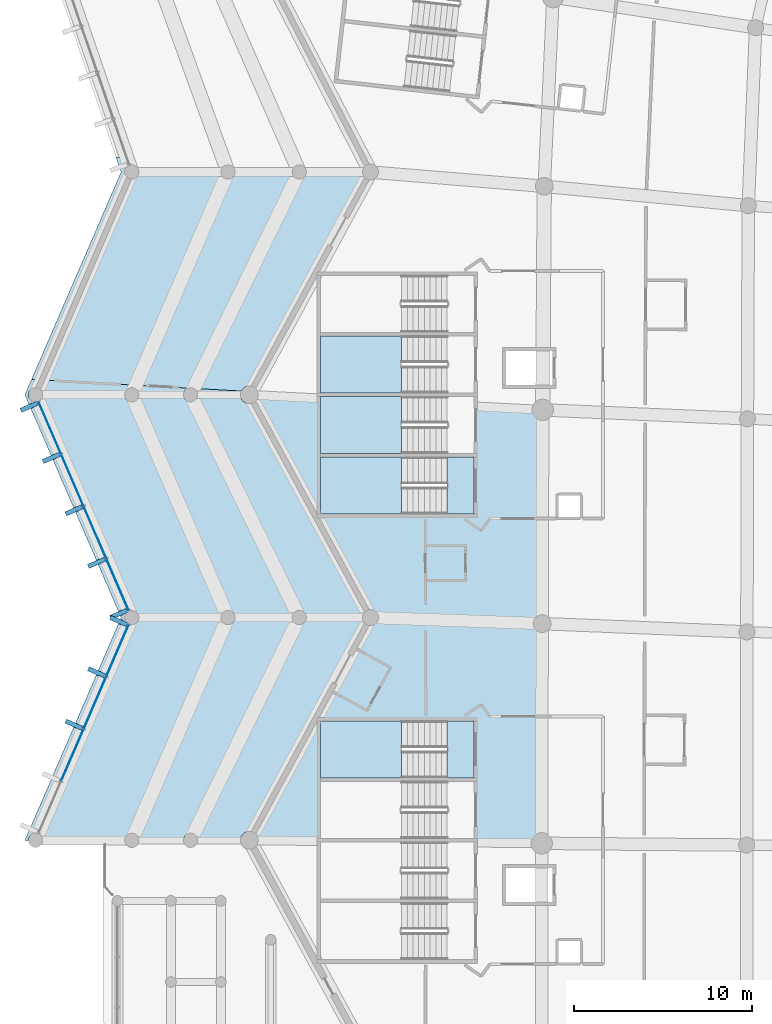
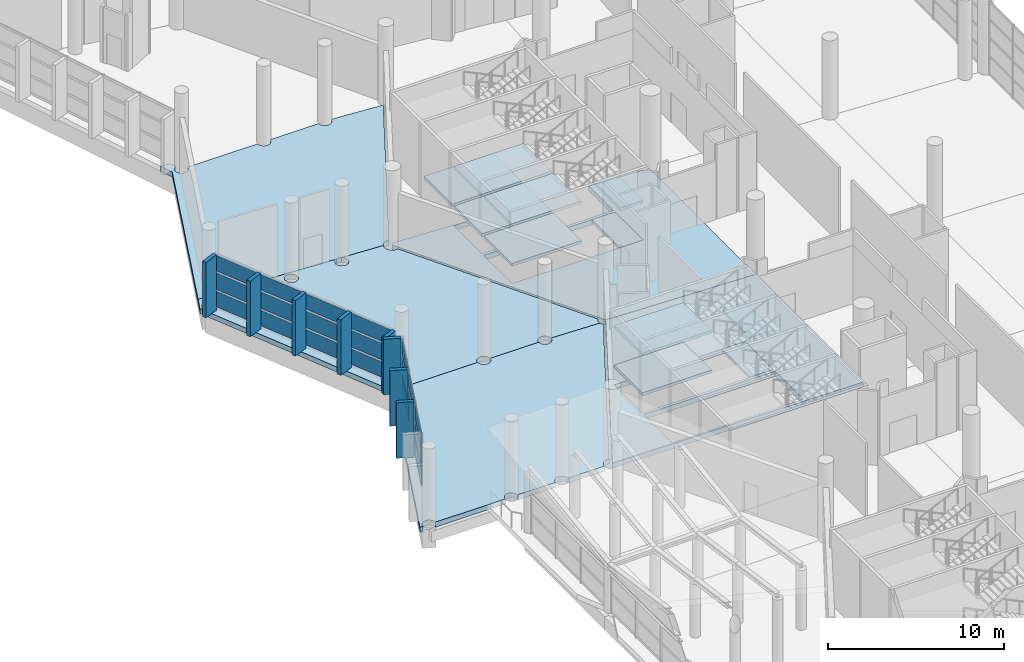
# One storey, part 137 of 271: 29 plates, 16 slabs, 6 elements without a shape of their own.
"""IFC4 building model written with IfcOpenShell, lengths in metres."""

from ifc_helpers import new_model, si_unit, direction, frame, origin, origin_2d, place, context, subcontext, project, spatial, polyline, rectangle, outline, extrude, material, layer, layer_set, type_object, element, aggregate, save


model = new_model("IFC4")

# Units and contexts
model_context = context("Model", 3, precision=1e-05, world=origin(), true_north=direction((0.0, 1.0)))
body_context = subcontext(model_context, "Body", "Model", "MODEL_VIEW")
ifc_project = project(units=[si_unit("LENGTHUNIT", "METRE"), si_unit("AREAUNIT", "SQUARE_METRE"), si_unit("VOLUMEUNIT", "CUBIC_METRE"), si_unit("PLANEANGLEUNIT", "RADIAN"), si_unit("MASSUNIT", "GRAM", prefix="KILO")], contexts=[model_context])

# Site, building, storey
site_placement = place(None, origin())
site = spatial("IfcSite", under=ifc_project, at=site_placement, CompositionType="ELEMENT")
building_placement = place(site_placement, origin())
building = spatial("IfcBuilding", under=site, at=building_placement, Name="Meseta Stadium", CompositionType="ELEMENT")
storey_placement = place(building_placement, frame((0.0, 0.0, 6.5)))
storey = spatial("IfcBuildingStorey", under=building, at=storey_placement, Name="L01", CompositionType="ELEMENT", Elevation=6.5)

# Slabs
ifc_material_1 = material(Name="Concrete C40/50", Category="concrete")
ifc_layer_1 = layer(ifc_material_1, 0.35009765625)
ifc_layer_set_1 = layer_set([ifc_layer_1], Name="Floor slab 350")
slab_type_1 = type_object("IfcSlabType", Name="Floor slab 350", PredefinedType="FLOOR", material=ifc_layer_set_1)
slab_1_placement = place(storey_placement, frame((0.0, 0.0, -0.35009765625)))
element("IfcSlab", 1, at=slab_1_placement, inside=storey, type_object=slab_type_1, Name="Floor slab L01 sector 28 panel 06", PredefinedType="FLOOR", context=body_context, shape_type="SweptSolid", body=[
    extrude(outline(polyline([(-96.176025390625, 31.14990234375), (-101.301513671875, 31.430908203125), (-101.39990234375, 31.25), (-94.60009765625, 18.75), (-84.97314453125, 18.41064453125), (-84.939697265625, 30.533935546875), (-88.800048828125, 30.74560546875), (-88.800048828125, 27.949951171875), (-97.39990234375, 27.949951171875), (-97.39990234375, 31.14990234375), (-96.176025390625, 31.14990234375)]), holes=[polyline([(-97.39990234375, 27.75), (-88.800048828125, 27.75), (-88.800048828125, 24.550048828125), (-97.39990234375, 24.550048828125), (-97.39990234375, 27.75)])]), origin(), (0.0, 0.0, 1.0), 0.35009765625),
])
slab_2_placement = place(storey_placement, frame((0.0, 0.0, -0.35009765625)))
element("IfcSlab", 2, at=slab_2_placement, inside=storey, type_object=slab_type_1, Name="Floor slab L01 sector 28 panel 07", PredefinedType="FLOOR", context=body_context, shape_type="SweptSolid", body=[
    extrude(outline(polyline([(-88.800048828125, 6.14990234375), (-88.800048828125, 6.149169921875), (-84.99755859375, 6.107421875), (-84.97314453125, 18.41064453125), (-94.60009765625, 18.75), (-101.3798828125, 6.287109375), (-88.8798828125, 6.14990234375), (-88.800048828125, 6.14990234375)]), holes=[polyline([(-88.800048828125, 6.35009765625), (-97.39990234375, 6.35009765625), (-97.39990234375, 9.550048828125), (-88.800048828125, 9.550048828125), (-88.800048828125, 6.35009765625)]), polyline([(-88.800048828125, 9.75), (-97.39990234375, 9.75), (-97.39990234375, 12.949951171875), (-88.800048828125, 12.949951171875), (-88.800048828125, 9.75)])]), origin(), (0.0, 0.0, 1.0), 0.35009765625),
])
slab_3_placement = place(storey_placement, frame((0.0, 0.0, -0.35009765625)))
element("IfcSlab", 3, at=slab_3_placement, inside=storey, type_object=slab_type_1, Name="Ring floor slab L01 4 part 1 panel 01", PredefinedType="FLOOR", context=body_context, shape_type="SweptSolid", body=[
    extrude(outline(polyline([(-104.3505859375, 31.04833984375), (-104.414794921875, 30.964599609375), (-104.498291015625, 30.900634765625), (-104.595703125, 30.8603515625), (-104.699951171875, 30.846435546875), (-104.804443359375, 30.8603515625), (-104.901611328125, 30.900634765625), (-104.9853515625, 30.964599609375), (-105.04931640625, 31.04833984375), (-105.089599609375, 31.1455078125), (-105.103515625, 31.25), (-105.089599609375, 31.3544921875), (-105.04931640625, 31.45166015625), (-104.9853515625, 31.535400390625), (-104.901611328125, 31.599365234375), (-104.83984375, 31.625), (-113.6298828125, 32.10693359375), (-114.0, 31.25), (-108.752685546875, 19.103759765625), (-108.218994140625, 19.086181640625), (-108.20166015625, 19.099365234375), (-108.1044921875, 19.1396484375), (-108.0, 19.153564453125), (-107.8955078125, 19.1396484375), (-107.79833984375, 19.099365234375), (-107.714599609375, 19.035400390625), (-107.650634765625, 18.95166015625), (-107.6103515625, 18.8544921875), (-107.596435546875, 18.75), (-103.00341796875, 18.75), (-102.98974609375, 18.8544921875), (-102.949462890625, 18.95166015625), (-102.88525390625, 19.035400390625), (-102.8017578125, 19.099365234375), (-102.704345703125, 19.1396484375), (-102.60009765625, 19.153564453125), (-102.49560546875, 19.1396484375), (-102.398193359375, 19.099365234375), (-102.314697265625, 19.035400390625), (-102.25048828125, 18.95166015625), (-102.224609375, 18.888916015625), (-102.210205078125, 18.8544921875), (-102.196533203125, 18.75), (-99.00341796875, 18.75), (-98.98974609375, 18.8544921875), (-98.949462890625, 18.95166015625), (-98.88525390625, 19.035400390625), (-98.8017578125, 19.099365234375), (-98.704345703125, 19.1396484375), (-98.60009765625, 19.153564453125), (-98.49560546875, 19.1396484375), (-98.398193359375, 19.099365234375), (-98.314697265625, 19.035400390625), (-98.25048828125, 18.95166015625), (-98.210205078125, 18.8544921875), (-98.197509765625, 18.756591796875), (-95.041015625, 18.652587890625), (-95.053955078125, 18.75), (-95.038330078125, 18.867431640625), (-94.9931640625, 18.976806640625), (-94.935302734375, 19.05224609375), (-101.30322265625, 30.75830078125), (-101.39990234375, 30.74560546875), (-101.530517578125, 30.762939453125), (-101.652099609375, 30.813232421875), (-101.756591796875, 30.893310546875), (-101.836669921875, 30.997802734375), (-101.88720703125, 31.119384765625), (-101.904296875, 31.25), (-101.88720703125, 31.380615234375), (-101.853515625, 31.461181640625), (-104.517333984375, 31.607421875), (-104.498291015625, 31.599365234375), (-104.414794921875, 31.535400390625), (-104.3505859375, 31.45166015625), (-104.310302734375, 31.3544921875), (-104.29638671875, 31.25), (-104.310302734375, 31.1455078125), (-104.3505859375, 31.04833984375)]), holes=[polyline([(-107.8955078125, 30.8603515625), (-108.0, 30.846435546875), (-108.1044921875, 30.8603515625), (-108.20166015625, 30.900634765625), (-108.285400390625, 30.964599609375), (-108.349365234375, 31.04833984375), (-108.3896484375, 31.1455078125), (-108.403564453125, 31.25), (-108.3896484375, 31.3544921875), (-108.349365234375, 31.45166015625), (-108.285400390625, 31.535400390625), (-108.20166015625, 31.599365234375), (-108.1044921875, 31.6396484375), (-108.0, 31.653564453125), (-107.8955078125, 31.6396484375), (-107.79833984375, 31.599365234375), (-107.714599609375, 31.535400390625), (-107.650634765625, 31.45166015625), (-107.6103515625, 31.3544921875), (-107.596435546875, 31.25), (-107.6103515625, 31.1455078125), (-107.650634765625, 31.04833984375), (-107.714599609375, 30.964599609375), (-107.79833984375, 30.900634765625), (-107.8955078125, 30.8603515625)]), polyline([(-113.601806640625, 30.900634765625), (-113.685302734375, 30.964599609375), (-113.74951171875, 31.04833984375), (-113.789794921875, 31.1455078125), (-113.803466796875, 31.25), (-113.789794921875, 31.3544921875), (-113.74951171875, 31.45166015625), (-113.685302734375, 31.535400390625), (-113.601806640625, 31.599365234375), (-113.50439453125, 31.6396484375), (-113.39990234375, 31.653564453125), (-113.295654296875, 31.6396484375), (-113.1982421875, 31.599365234375), (-113.11474609375, 31.535400390625), (-113.050537109375, 31.45166015625), (-113.01025390625, 31.3544921875), (-112.99658203125, 31.25), (-113.01025390625, 31.1455078125), (-113.050537109375, 31.04833984375), (-113.11474609375, 30.964599609375), (-113.1982421875, 30.900634765625), (-113.295654296875, 30.8603515625), (-113.39990234375, 30.846435546875), (-113.50439453125, 30.8603515625), (-113.601806640625, 30.900634765625)])]), origin(), (0.0, 0.0, 1.0), 0.35009765625),
])
slab_4_placement = place(storey_placement, frame((0.0, 0.0, -0.35009765625)))
element("IfcSlab", 4, at=slab_4_placement, inside=storey, type_object=slab_type_1, Name="Ring floor slab L01 4 part 1 panel 02", PredefinedType="FLOOR", context=body_context, shape_type="SweptSolid", body=[
    extrude(outline(polyline([(-108.60009765625, 18.75), (-114.0, 6.25), (-113.803466796875, 6.25), (-113.789794921875, 6.3544921875), (-113.761474609375, 6.4228515625), (-113.74951171875, 6.45166015625), (-113.685302734375, 6.535400390625), (-113.601806640625, 6.599365234375), (-113.50439453125, 6.6396484375), (-113.39990234375, 6.653564453125), (-113.295654296875, 6.6396484375), (-113.1982421875, 6.599365234375), (-113.11474609375, 6.535400390625), (-113.050537109375, 6.45166015625), (-113.035400390625, 6.414794921875), (-113.01025390625, 6.3544921875), (-112.99658203125, 6.25), (-108.403564453125, 6.25), (-108.3896484375, 6.3544921875), (-108.349365234375, 6.45166015625), (-108.285400390625, 6.535400390625), (-108.20166015625, 6.599365234375), (-108.1044921875, 6.6396484375), (-108.0, 6.653564453125), (-107.8955078125, 6.6396484375), (-107.79833984375, 6.599365234375), (-107.714599609375, 6.535400390625), (-107.650634765625, 6.45166015625), (-107.610595703125, 6.35546875), (-107.596435546875, 6.25), (-105.103515625, 6.25), (-105.089599609375, 6.3544921875), (-105.04931640625, 6.45166015625), (-104.9853515625, 6.535400390625), (-104.901611328125, 6.599365234375), (-104.804443359375, 6.6396484375), (-104.699951171875, 6.653564453125), (-104.595703125, 6.6396484375), (-104.498291015625, 6.599365234375), (-104.414794921875, 6.535400390625), (-104.3505859375, 6.45166015625), (-104.310302734375, 6.3544921875), (-104.29638671875, 6.25), (-101.904296875, 6.25), (-101.88720703125, 6.380615234375), (-101.836669921875, 6.502197265625), (-101.756591796875, 6.606689453125), (-101.652099609375, 6.686767578125), (-101.530517578125, 6.737060546875), (-101.39990234375, 6.75439453125), (-101.30322265625, 6.74169921875), (-94.935302734375, 18.44775390625), (-94.9931640625, 18.523193359375), (-95.038330078125, 18.632568359375), (-95.041015625, 18.652587890625), (-98.197509765625, 18.756591796875), (-98.196533203125, 18.75), (-98.210205078125, 18.6455078125), (-98.25048828125, 18.54833984375), (-98.314697265625, 18.464599609375), (-98.398193359375, 18.400634765625), (-98.49560546875, 18.3603515625), (-98.60009765625, 18.346435546875), (-98.704345703125, 18.3603515625), (-98.8017578125, 18.400634765625), (-98.88525390625, 18.464599609375), (-98.949462890625, 18.54833984375), (-98.98974609375, 18.6455078125), (-99.00341796875, 18.75), (-102.196533203125, 18.75), (-102.210205078125, 18.6455078125), (-102.25048828125, 18.54833984375), (-102.314697265625, 18.464599609375), (-102.398193359375, 18.400634765625), (-102.49560546875, 18.3603515625), (-102.60009765625, 18.346435546875), (-102.704345703125, 18.3603515625), (-102.8017578125, 18.400634765625), (-102.88525390625, 18.464599609375), (-102.949462890625, 18.54833984375), (-102.98974609375, 18.6455078125), (-103.00341796875, 18.75), (-107.596435546875, 18.75), (-107.6103515625, 18.6455078125), (-107.650634765625, 18.54833984375), (-107.714599609375, 18.464599609375), (-107.79833984375, 18.400634765625), (-107.8955078125, 18.3603515625), (-108.0, 18.346435546875), (-108.1044921875, 18.3603515625), (-108.20166015625, 18.400634765625), (-108.285400390625, 18.464599609375), (-108.349365234375, 18.54833984375), (-108.3896484375, 18.6455078125), (-108.403564453125, 18.75), (-108.3896484375, 18.8544921875), (-108.349365234375, 18.95166015625), (-108.285400390625, 19.035400390625), (-108.218994140625, 19.086181640625), (-108.752685546875, 19.103759765625), (-108.60009765625, 18.75)])), origin(), (0.0, 0.0, 1.0), 0.35009765625),
])
slab_5_placement = place(storey_placement, frame((0.0, 0.0, -0.35009765625)))
element("IfcSlab", 5, at=slab_5_placement, inside=storey, type_object=slab_type_1, Name="Ring floor slab L01 4 part 1 panel 04", PredefinedType="FLOOR", context=body_context, shape_type="SweptSolid", body=[
    extrude(outline(polyline([(-108.3896484375, 43.8544921875), (-108.349365234375, 43.95166015625), (-108.285400390625, 44.035400390625), (-108.20166015625, 44.099365234375), (-108.13037109375, 44.12890625), (-108.271240234375, 44.538330078125), (-108.885986328125, 44.58544921875), (-108.60009765625, 43.75), (-113.6298828125, 32.10693359375), (-104.83984375, 31.625), (-104.804443359375, 31.6396484375), (-104.699951171875, 31.653564453125), (-104.595703125, 31.6396484375), (-104.517333984375, 31.607421875), (-101.853515625, 31.461181640625), (-101.836669921875, 31.502197265625), (-101.756591796875, 31.606689453125), (-101.652099609375, 31.686767578125), (-101.530517578125, 31.737060546875), (-101.39990234375, 31.75439453125), (-101.30322265625, 31.74169921875), (-94.935302734375, 43.44775390625), (-94.989990234375, 43.51904296875), (-98.0, 43.75), (-98.196533203125, 43.75), (-98.210205078125, 43.6455078125), (-98.25048828125, 43.54833984375), (-98.314697265625, 43.464599609375), (-98.398193359375, 43.400634765625), (-98.49560546875, 43.3603515625), (-98.60009765625, 43.346435546875), (-98.704345703125, 43.3603515625), (-98.8017578125, 43.400634765625), (-98.88525390625, 43.464599609375), (-98.949462890625, 43.54833984375), (-98.98974609375, 43.6455078125), (-99.00341796875, 43.75), (-102.196533203125, 43.75), (-102.210205078125, 43.6455078125), (-102.25048828125, 43.54833984375), (-102.314697265625, 43.464599609375), (-102.398193359375, 43.400634765625), (-102.49560546875, 43.3603515625), (-102.60009765625, 43.346435546875), (-102.704345703125, 43.3603515625), (-102.8017578125, 43.400634765625), (-102.88525390625, 43.464599609375), (-102.949462890625, 43.54833984375), (-102.98974609375, 43.6455078125), (-103.00341796875, 43.75), (-107.596435546875, 43.75), (-107.6103515625, 43.6455078125), (-107.650634765625, 43.54833984375), (-107.714599609375, 43.464599609375), (-107.79833984375, 43.400634765625), (-107.8955078125, 43.3603515625), (-108.0, 43.346435546875), (-108.1044921875, 43.3603515625), (-108.20166015625, 43.400634765625), (-108.285400390625, 43.464599609375), (-108.349365234375, 43.54833984375), (-108.3896484375, 43.6455078125), (-108.403564453125, 43.75), (-108.3896484375, 43.8544921875)])), origin(), (0.0, 0.0, 1.0), 0.35009765625),
])

# Curtain wall, plates
ifc_material_2 = material(Name="Aluminium", Category="aluminium")
ifc_layer_2 = layer(ifc_material_2, 0.199951171875)
ifc_layer_set_2 = layer_set([ifc_layer_2], Name="Ring shopfront curtain wall")
curtain_wall_type = type_object("IfcCurtainWallType", Name="Ring shopfront curtain wall", PredefinedType="NOTDEFINED", material=ifc_layer_set_2)
curtain_wall_1_placement = place(storey_placement, origin())
curtain_wall_1 = element("IfcCurtainWall", 6, at=curtain_wall_1_placement, inside=storey, type_object=curtain_wall_type, Name="Ring glazing L01 F30", PredefinedType="NOTDEFINED")
ifc_material_3 = material(Name="Glass", Category="glass")
ifc_layer_3 = layer(ifc_material_3, 0.035888671875)
ifc_layer_set_3 = layer_set([ifc_layer_3], Name="Ring CW glass panel 36")
plate_type_1 = type_object("IfcPlateType", Name="Ring CW glass panel 36", PredefinedType="CURTAIN_PANEL", material=ifc_layer_set_3)
plate_1_placement = place(storey_placement, frame((-112.60009765625, 29.3984375, 0.14990234375), z_axis=(0.0, 0.0, 1.0), x_axis=(0.396580687073, -0.91799986854, 0.0)))
plate_1 = element("IfcPlate", 7, at=plate_1_placement, type_object=plate_type_1, Name="CWR1 panel 1.1", PredefinedType="CURTAIN_PANEL", context=body_context, shape_type="SweptSolid", body=[
    extrude(rectangle(XDim=3.1142578125, YDim=0.035888671875, at=origin_2d()), origin(), (0.0, 0.0, 1.0), 1.058349609375),
])
plate_2_placement = place(storey_placement, frame((-112.60009765625, 29.3984375, 1.3583984375), z_axis=(0.0, 0.0, 1.0), x_axis=(0.396580687073, -0.91799986854, 0.0)))
plate_2 = element("IfcPlate", 8, at=plate_2_placement, type_object=plate_type_1, Name="CWR1 panel 1.2", PredefinedType="CURTAIN_PANEL", context=body_context, shape_type="SweptSolid", body=[
    extrude(rectangle(XDim=3.1142578125, YDim=0.035888671875, at=origin_2d()), origin(), (0.0, 0.0, 1.0), 1.13330078125),
])
plate_3_placement = place(storey_placement, frame((-112.60009765625, 29.3984375, 2.6416015625), z_axis=(0.0, 0.0, 1.0), x_axis=(0.396580687073, -0.91799986854, 0.0)))
plate_3 = element("IfcPlate", 9, at=plate_3_placement, type_object=plate_type_1, Name="CWR1 panel 1.3", PredefinedType="CURTAIN_PANEL", context=body_context, shape_type="SweptSolid", body=[
    extrude(rectangle(XDim=3.1142578125, YDim=0.035888671875, at=origin_2d()), origin(), (0.0, 0.0, 1.0), 1.058349609375),
])
plate_4_placement = place(storey_placement, frame((-111.33544921875, 26.470703125, 0.14990234375), z_axis=(0.0, 0.0, 1.0), x_axis=(0.396580687073, -0.91799986854, 0.0)))
plate_4 = element("IfcPlate", 10, at=plate_4_placement, type_object=plate_type_1, Name="CWR1 panel 2.1", PredefinedType="CURTAIN_PANEL", context=body_context, shape_type="SweptSolid", body=[
    extrude(rectangle(XDim=3.14404296875, YDim=0.035888671875, at=origin_2d()), origin(), (0.0, 0.0, 1.0), 1.058349609375),
])
plate_5_placement = place(storey_placement, frame((-111.33544921875, 26.470703125, 1.3583984375), z_axis=(0.0, 0.0, 1.0), x_axis=(0.396580687073, -0.91799986854, 0.0)))
plate_5 = element("IfcPlate", 11, at=plate_5_placement, type_object=plate_type_1, Name="CWR1 panel 2.2", PredefinedType="CURTAIN_PANEL", context=body_context, shape_type="SweptSolid", body=[
    extrude(rectangle(XDim=3.14404296875, YDim=0.035888671875, at=origin_2d()), origin(), (0.0, 0.0, 1.0), 1.13330078125),
])
plate_6_placement = place(storey_placement, frame((-111.33544921875, 26.470703125, 2.6416015625), z_axis=(0.0, 0.0, 1.0), x_axis=(0.396580687073, -0.91799986854, 0.0)))
plate_6 = element("IfcPlate", 12, at=plate_6_placement, type_object=plate_type_1, Name="CWR1 panel 2.3", PredefinedType="CURTAIN_PANEL", context=body_context, shape_type="SweptSolid", body=[
    extrude(rectangle(XDim=3.14404296875, YDim=0.035888671875, at=origin_2d()), origin(), (0.0, 0.0, 1.0), 1.058349609375),
])
plate_7_placement = place(storey_placement, frame((-110.064697265625, 23.529296875, 0.14990234375), z_axis=(0.0, 0.0, 1.0), x_axis=(0.396580687073, -0.91799986854, 0.0)))
plate_7 = element("IfcPlate", 13, at=plate_7_placement, type_object=plate_type_1, Name="CWR1 panel 3.1", PredefinedType="CURTAIN_PANEL", context=body_context, shape_type="SweptSolid", body=[
    extrude(rectangle(XDim=3.14404296875, YDim=0.035888671875, at=origin_2d()), origin(), (0.0, 0.0, 1.0), 1.058349609375),
])
plate_8_placement = place(storey_placement, frame((-110.064697265625, 23.529296875, 1.3583984375), z_axis=(0.0, 0.0, 1.0), x_axis=(0.396580687073, -0.91799986854, 0.0)))
plate_8 = element("IfcPlate", 14, at=plate_8_placement, type_object=plate_type_1, Name="CWR1 panel 3.2", PredefinedType="CURTAIN_PANEL", context=body_context, shape_type="SweptSolid", body=[
    extrude(rectangle(XDim=3.14404296875, YDim=0.035888671875, at=origin_2d()), origin(), (0.0, 0.0, 1.0), 1.13330078125),
])
plate_9_placement = place(storey_placement, frame((-110.064697265625, 23.529296875, 2.6416015625), z_axis=(0.0, 0.0, 1.0), x_axis=(0.396580687073, -0.91799986854, 0.0)))
plate_9 = element("IfcPlate", 15, at=plate_9_placement, type_object=plate_type_1, Name="CWR1 panel 3.3", PredefinedType="CURTAIN_PANEL", context=body_context, shape_type="SweptSolid", body=[
    extrude(rectangle(XDim=3.14404296875, YDim=0.035888671875, at=origin_2d()), origin(), (0.0, 0.0, 1.0), 1.058349609375),
])
plate_10_placement = place(storey_placement, frame((-108.7998046875, 20.6015625, 0.14990234375), z_axis=(0.0, 0.0, 1.0), x_axis=(0.396580687073, -0.91799986854, 0.0)))
plate_10 = element("IfcPlate", 16, at=plate_10_placement, type_object=plate_type_1, Name="CWR1 panel 4.1", PredefinedType="CURTAIN_PANEL", context=body_context, shape_type="SweptSolid", body=[
    extrude(rectangle(XDim=3.1142578125, YDim=0.035888671875, at=origin_2d()), origin(), (0.0, 0.0, 1.0), 1.058349609375),
])
plate_11_placement = place(storey_placement, frame((-108.7998046875, 20.6015625, 1.3583984375), z_axis=(0.0, 0.0, 1.0), x_axis=(0.396580687073, -0.91799986854, 0.0)))
plate_11 = element("IfcPlate", 17, at=plate_11_placement, type_object=plate_type_1, Name="CWR1 panel 4.2", PredefinedType="CURTAIN_PANEL", context=body_context, shape_type="SweptSolid", body=[
    extrude(rectangle(XDim=3.1142578125, YDim=0.035888671875, at=origin_2d()), origin(), (0.0, 0.0, 1.0), 1.13330078125),
])
plate_12_placement = place(storey_placement, frame((-108.7998046875, 20.6015625, 2.6416015625), z_axis=(0.0, 0.0, 1.0), x_axis=(0.396580687073, -0.91799986854, 0.0)))
plate_12 = element("IfcPlate", 18, at=plate_12_placement, type_object=plate_type_1, Name="CWR1 panel 4.3", PredefinedType="CURTAIN_PANEL", context=body_context, shape_type="SweptSolid", body=[
    extrude(rectangle(XDim=3.1142578125, YDim=0.035888671875, at=origin_2d()), origin(), (0.0, 0.0, 1.0), 1.058349609375),
])
aggregate(curtain_wall_1, [plate_1, plate_2, plate_3, plate_4, plate_5, plate_6, plate_7, plate_8, plate_9, plate_10, plate_11, plate_12])

curtain_wall_2_placement = place(storey_placement, origin())
curtain_wall_2 = element("IfcCurtainWall", 19, at=curtain_wall_2_placement, inside=storey, type_object=curtain_wall_type, Name="Ring glazing L01 F31", PredefinedType="NOTDEFINED")
plate_13_placement = place(storey_placement, frame((-108.7998046875, 16.8984375, 0.14990234375), z_axis=(0.0, 0.0, 1.0), x_axis=(-0.396580687073, -0.91799986854, 0.0)))
plate_13 = element("IfcPlate", 20, at=plate_13_placement, type_object=plate_type_1, Name="CWR1 panel 1.1", PredefinedType="CURTAIN_PANEL", context=body_context, shape_type="SweptSolid", body=[
    extrude(rectangle(XDim=3.1142578125, YDim=0.035888671875, at=origin_2d()), origin(), (0.0, 0.0, 1.0), 1.058349609375),
])
plate_14_placement = place(storey_placement, frame((-108.7998046875, 16.8984375, 1.3583984375), z_axis=(0.0, 0.0, 1.0), x_axis=(-0.396580687073, -0.91799986854, 0.0)))
plate_14 = element("IfcPlate", 21, at=plate_14_placement, type_object=plate_type_1, Name="CWR1 panel 1.2", PredefinedType="CURTAIN_PANEL", context=body_context, shape_type="SweptSolid", body=[
    extrude(rectangle(XDim=3.1142578125, YDim=0.035888671875, at=origin_2d()), origin(), (0.0, 0.0, 1.0), 1.13330078125),
])
plate_15_placement = place(storey_placement, frame((-108.7998046875, 16.8984375, 2.6416015625), z_axis=(0.0, 0.0, 1.0), x_axis=(-0.396580687073, -0.91799986854, 0.0)))
plate_15 = element("IfcPlate", 22, at=plate_15_placement, type_object=plate_type_1, Name="CWR1 panel 1.3", PredefinedType="CURTAIN_PANEL", context=body_context, shape_type="SweptSolid", body=[
    extrude(rectangle(XDim=3.1142578125, YDim=0.035888671875, at=origin_2d()), origin(), (0.0, 0.0, 1.0), 1.058349609375),
])
plate_16_placement = place(storey_placement, frame((-110.064697265625, 13.970703125, 0.14990234375), z_axis=(0.0, 0.0, 1.0), x_axis=(-0.396580687073, -0.91799986854, 0.0)))
plate_16 = element("IfcPlate", 23, at=plate_16_placement, type_object=plate_type_1, Name="CWR1 panel 2.1", PredefinedType="CURTAIN_PANEL", context=body_context, shape_type="SweptSolid", body=[
    extrude(rectangle(XDim=3.14404296875, YDim=0.035888671875, at=origin_2d()), origin(), (0.0, 0.0, 1.0), 1.058349609375),
])
plate_17_placement = place(storey_placement, frame((-110.064697265625, 13.970703125, 1.3583984375), z_axis=(0.0, 0.0, 1.0), x_axis=(-0.396580687073, -0.91799986854, 0.0)))
plate_17 = element("IfcPlate", 24, at=plate_17_placement, type_object=plate_type_1, Name="CWR1 panel 2.2", PredefinedType="CURTAIN_PANEL", context=body_context, shape_type="SweptSolid", body=[
    extrude(rectangle(XDim=3.14404296875, YDim=0.035888671875, at=origin_2d()), origin(), (0.0, 0.0, 1.0), 1.13330078125),
])
plate_18_placement = place(storey_placement, frame((-110.064697265625, 13.970703125, 2.6416015625), z_axis=(0.0, 0.0, 1.0), x_axis=(-0.396580687073, -0.91799986854, 0.0)))
plate_18 = element("IfcPlate", 25, at=plate_18_placement, type_object=plate_type_1, Name="CWR1 panel 2.3", PredefinedType="CURTAIN_PANEL", context=body_context, shape_type="SweptSolid", body=[
    extrude(rectangle(XDim=3.14404296875, YDim=0.035888671875, at=origin_2d()), origin(), (0.0, 0.0, 1.0), 1.058349609375),
])
plate_19_placement = place(storey_placement, frame((-111.33544921875, 11.029296875, 0.14990234375), z_axis=(0.0, 0.0, 1.0), x_axis=(-0.396580687073, -0.91799986854, 0.0)))
plate_19 = element("IfcPlate", 26, at=plate_19_placement, type_object=plate_type_1, Name="CWR1 panel 3.1", PredefinedType="CURTAIN_PANEL", context=body_context, shape_type="SweptSolid", body=[
    extrude(rectangle(XDim=3.14404296875, YDim=0.035888671875, at=origin_2d()), origin(), (0.0, 0.0, 1.0), 1.058349609375),
])
plate_20_placement = place(storey_placement, frame((-111.33544921875, 11.029296875, 1.3583984375), z_axis=(0.0, 0.0, 1.0), x_axis=(-0.396580687073, -0.91799986854, 0.0)))
plate_20 = element("IfcPlate", 27, at=plate_20_placement, type_object=plate_type_1, Name="CWR1 panel 3.2", PredefinedType="CURTAIN_PANEL", context=body_context, shape_type="SweptSolid", body=[
    extrude(rectangle(XDim=3.14404296875, YDim=0.035888671875, at=origin_2d()), origin(), (0.0, 0.0, 1.0), 1.13330078125),
])
plate_21_placement = place(storey_placement, frame((-111.33544921875, 11.029296875, 2.6416015625), z_axis=(0.0, 0.0, 1.0), x_axis=(-0.396580687073, -0.91799986854, 0.0)))
plate_21 = element("IfcPlate", 28, at=plate_21_placement, type_object=plate_type_1, Name="CWR1 panel 3.3", PredefinedType="CURTAIN_PANEL", context=body_context, shape_type="SweptSolid", body=[
    extrude(rectangle(XDim=3.14404296875, YDim=0.035888671875, at=origin_2d()), origin(), (0.0, 0.0, 1.0), 1.058349609375),
])
aggregate(curtain_wall_2, [plate_13, plate_14, plate_15, plate_16, plate_17, plate_18, plate_19, plate_20, plate_21])

# Plates
ifc_material_4 = material(Name="Precast concrete C40/50", Category="concrete")
ifc_layer_4 = layer(ifc_material_4, 0.25)
ifc_layer_set_4 = layer_set([ifc_layer_4], Name="Ring brise-soleil fin 250x1000")
plate_type_2 = type_object("IfcPlateType", Name="Ring brise-soleil fin 250x1000", PredefinedType="USERDEFINED", material=ifc_layer_set_4)
for number, where, z_axis, x_axis, name in (
    (29, (-113.762451171875, 30.575927734375, 0.0), (0.0, 0.0, 1.0), (0.396575976693, -0.918001903435, 0.0), "Brise-soleil fin L01 F30.1"),
    (30, (-112.521484375, 27.70361328125, 0.0), (0.0, 0.0, 1.0), (0.396575976693, -0.918001903435, 0.0), "Brise-soleil fin L01 F30.2"),
    (31, (-111.250732421875, 24.76220703125, 0.0), (0.0, 0.0, 1.0), (0.396575976693, -0.918001903435, 0.0), "Brise-soleil fin L01 F30.3"),
    (32, (-109.97998046875, 21.82080078125, 0.0), (0.0, 0.0, 1.0), (0.396575976693, -0.918001903435, 0.0), "Brise-soleil fin L01 F30.4"),
    (33, (-108.7392578125, 18.947998046875, 0.0), (0.0, 0.0, 1.0), (0.396575976693, -0.918001903435, 0.0), "Brise-soleil fin L01 F30.5"),
    (34, (-108.7392578125, 18.552001953125, 0.0), (0.0, 0.0, 1.0), (-0.396575976693, -0.918001903435, 0.0), "Brise-soleil fin L01 F31.1"),
    (35, (-109.97998046875, 15.67919921875, 0.0), (0.0, 0.0, 1.0), (-0.396575976693, -0.918001903435, 0.0), "Brise-soleil fin L01 F31.2"),
    (36, (-111.250732421875, 12.73779296875, 0.0), (0.0, 0.0, 1.0), (-0.396575976693, -0.918001903435, 0.0), "Brise-soleil fin L01 F31.3"),
):
    element("IfcPlate", number, at=place(storey_placement, frame(where, z_axis=z_axis, x_axis=x_axis)), inside=storey, type_object=plate_type_2, Name=name, ObjectType="FIN", PredefinedType="USERDEFINED", context=body_context, shape_type="SweptSolid", body=[
        extrude(rectangle(XDim=0.25, YDim=1.0, at=origin_2d()), origin(), (0.0, 0.0, 1.0), 3.85009765625),
    ])

# Stair, slab
ifc_material_5 = material(Name="Concrete C40/50", Category="concrete")
stair_type = type_object("IfcStairType", Name="Exit stair 4 flights 153 mm risers", PredefinedType="HALF_TURN_STAIR", material=ifc_material_5)
stair_1_placement = place(storey_placement, origin())
stair_1 = element("IfcStair", 37, at=stair_1_placement, inside=storey, type_object=stair_type, Name="ST62 L01", PredefinedType="HALF_TURN_STAIR")
ifc_material_6 = material(Name="Concrete C40/50", Category="concrete")
ifc_layer_5 = layer(ifc_material_6, 0.199951171875)
ifc_layer_set_5 = layer_set([ifc_layer_5], Name="Stair landing 200")
slab_type_2 = type_object("IfcSlabType", Name="Stair landing 200", PredefinedType="LANDING", material=ifc_layer_set_5)
slab_6_placement = place(storey_placement, frame((0.0, 0.0, 1.175048828125)))
slab_6 = element("IfcSlab", 38, at=slab_6_placement, type_object=slab_type_2, Name="ST62 L01 landing 1", PredefinedType="LANDING", context=body_context, shape_type="SweptSolid", body=[
    extrude(outline(polyline([(-92.85009765625, 34.550048828125), (-97.39990234375, 34.550048828125), (-97.39990234375, 31.35009765625), (-92.85009765625, 31.35009765625), (-92.85009765625, 34.550048828125)])), origin(), (0.0, 0.0, 1.0), 0.199951171875),
])
aggregate(stair_1, [slab_6])

# Stair, slabs
stair_2_placement = place(storey_placement, origin())
stair_2 = element("IfcStair", 39, at=stair_2_placement, inside=storey, type_object=stair_type, Name="ST63 L01", PredefinedType="HALF_TURN_STAIR")
slab_7_placement = place(storey_placement, frame((0.0, 0.0, 1.175048828125)))
slab_7 = element("IfcSlab", 40, at=slab_7_placement, type_object=slab_type_2, Name="ST63 L01 landing 1", PredefinedType="LANDING", context=body_context, shape_type="SweptSolid", body=[
    extrude(outline(polyline([(-92.85009765625, 31.14990234375), (-97.39990234375, 31.14990234375), (-97.39990234375, 27.949951171875), (-92.85009765625, 27.949951171875), (-92.85009765625, 31.14990234375)])), origin(), (0.0, 0.0, 1.0), 0.199951171875),
])
slab_8_placement = place(storey_placement, frame((0.0, 0.0, 3.925048828125)))
slab_8 = element("IfcSlab", 41, at=slab_8_placement, type_object=slab_type_2, Name="ST63 L01 landing 3", PredefinedType="LANDING", context=body_context, shape_type="SweptSolid", body=[
    extrude(outline(polyline([(-92.85009765625, 31.14990234375), (-97.39990234375, 31.14990234375), (-97.39990234375, 27.949951171875), (-92.85009765625, 27.949951171875), (-92.85009765625, 31.14990234375)])), origin(), (0.0, 0.0, 1.0), 0.199951171875),
])
aggregate(stair_2, [slab_7, slab_8])

stair_3_placement = place(storey_placement, origin())
stair_3 = element("IfcStair", 42, at=stair_3_placement, inside=storey, type_object=stair_type, Name="ST64 L01", PredefinedType="HALF_TURN_STAIR")
slab_9_placement = place(storey_placement, frame((0.0, 0.0, 1.175048828125)))
slab_9 = element("IfcSlab", 43, at=slab_9_placement, type_object=slab_type_2, Name="ST64 L01 landing 1", PredefinedType="LANDING", context=body_context, shape_type="SweptSolid", body=[
    extrude(outline(polyline([(-92.85009765625, 27.75), (-97.39990234375, 27.75), (-97.39990234375, 24.550048828125), (-92.85009765625, 24.550048828125), (-92.85009765625, 27.75)])), origin(), (0.0, 0.0, 1.0), 0.199951171875),
])
slab_10_placement = place(storey_placement, frame((0.0, 0.0, 2.550048828125)))
slab_10 = element("IfcSlab", 44, at=slab_10_placement, type_object=slab_type_2, Name="ST64 L01 landing 2", PredefinedType="LANDING", context=body_context, shape_type="SweptSolid", body=[
    extrude(outline(polyline([(-88.800048828125, 27.75), (-90.31005859375, 27.75), (-90.31005859375, 24.550048828125), (-88.800048828125, 24.550048828125), (-88.800048828125, 27.75)])), origin(), (0.0, 0.0, 1.0), 0.199951171875),
])
slab_11_placement = place(storey_placement, frame((0.0, 0.0, 3.925048828125)))
slab_11 = element("IfcSlab", 45, at=slab_11_placement, type_object=slab_type_2, Name="ST64 L01 landing 3", PredefinedType="LANDING", context=body_context, shape_type="SweptSolid", body=[
    extrude(outline(polyline([(-92.85009765625, 27.75), (-97.39990234375, 27.75), (-97.39990234375, 24.550048828125), (-92.85009765625, 24.550048828125), (-92.85009765625, 27.75)])), origin(), (0.0, 0.0, 1.0), 0.199951171875),
])
slab_12_placement = place(storey_placement, frame((0.0, 0.0, -0.199951171875)))
slab_12 = element("IfcSlab", 46, at=slab_12_placement, type_object=slab_type_2, Name="ST64 L01 landing 4", PredefinedType="LANDING", context=body_context, shape_type="SweptSolid", body=[
    extrude(outline(polyline([(-88.800048828125, 27.75), (-90.31005859375, 27.75), (-90.31005859375, 24.550048828125), (-88.800048828125, 24.550048828125), (-88.800048828125, 27.75)])), origin(), (0.0, 0.0, 1.0), 0.199951171875),
])
aggregate(stair_3, [slab_9, slab_10, slab_11, slab_12])

stair_4_placement = place(storey_placement, origin())
stair_4 = element("IfcStair", 47, at=stair_4_placement, inside=storey, type_object=stair_type, Name="ST65 L01", PredefinedType="HALF_TURN_STAIR")
slab_13_placement = place(storey_placement, frame((0.0, 0.0, 1.175048828125)))
slab_13 = element("IfcSlab", 48, at=slab_13_placement, type_object=slab_type_2, Name="ST65 L01 landing 1", PredefinedType="LANDING", context=body_context, shape_type="SweptSolid", body=[
    extrude(outline(polyline([(-92.85009765625, 12.949951171875), (-97.39990234375, 12.949951171875), (-97.39990234375, 9.75), (-92.85009765625, 9.75), (-92.85009765625, 12.949951171875)])), origin(), (0.0, 0.0, 1.0), 0.199951171875),
])
slab_14_placement = place(storey_placement, frame((0.0, 0.0, 2.550048828125)))
slab_14 = element("IfcSlab", 49, at=slab_14_placement, type_object=slab_type_2, Name="ST65 L01 landing 2", PredefinedType="LANDING", context=body_context, shape_type="SweptSolid", body=[
    extrude(outline(polyline([(-88.800048828125, 12.949951171875), (-90.31005859375, 12.949951171875), (-90.31005859375, 9.75), (-88.800048828125, 9.75), (-88.800048828125, 12.949951171875)])), origin(), (0.0, 0.0, 1.0), 0.199951171875),
])
slab_15_placement = place(storey_placement, frame((0.0, 0.0, 3.925048828125)))
slab_15 = element("IfcSlab", 50, at=slab_15_placement, type_object=slab_type_2, Name="ST65 L01 landing 3", PredefinedType="LANDING", context=body_context, shape_type="SweptSolid", body=[
    extrude(outline(polyline([(-92.85009765625, 12.949951171875), (-97.39990234375, 12.949951171875), (-97.39990234375, 9.75), (-92.85009765625, 9.75), (-92.85009765625, 12.949951171875)])), origin(), (0.0, 0.0, 1.0), 0.199951171875),
])
slab_16_placement = place(storey_placement, frame((0.0, 0.0, -0.199951171875)))
slab_16 = element("IfcSlab", 51, at=slab_16_placement, type_object=slab_type_2, Name="ST65 L01 landing 4", PredefinedType="LANDING", context=body_context, shape_type="SweptSolid", body=[
    extrude(outline(polyline([(-88.800048828125, 12.949951171875), (-90.31005859375, 12.949951171875), (-90.31005859375, 9.75), (-88.800048828125, 9.75), (-88.800048828125, 12.949951171875)])), origin(), (0.0, 0.0, 1.0), 0.199951171875),
])
aggregate(stair_4, [slab_13, slab_14, slab_15, slab_16])

save(model, "model.ifc")
